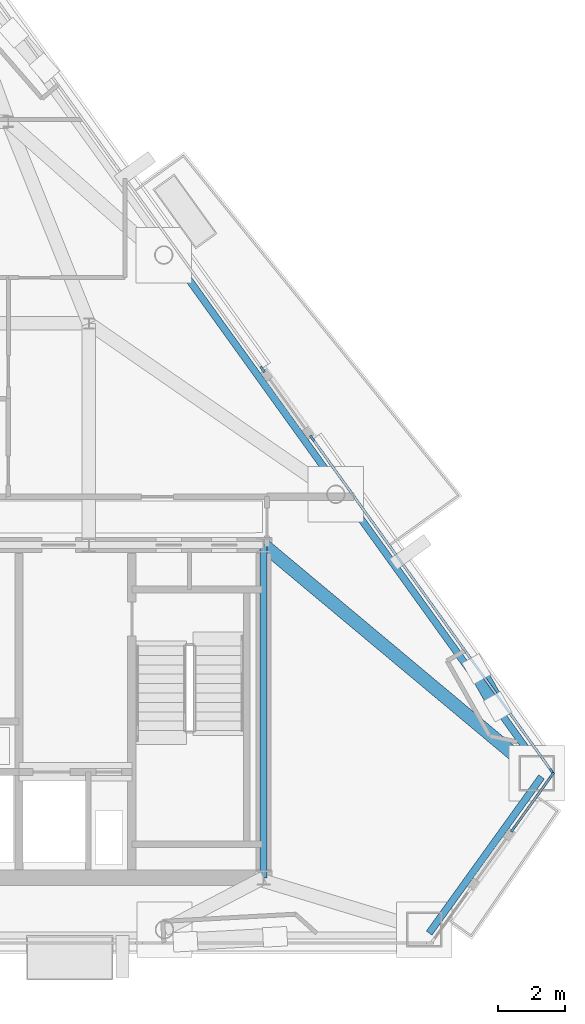
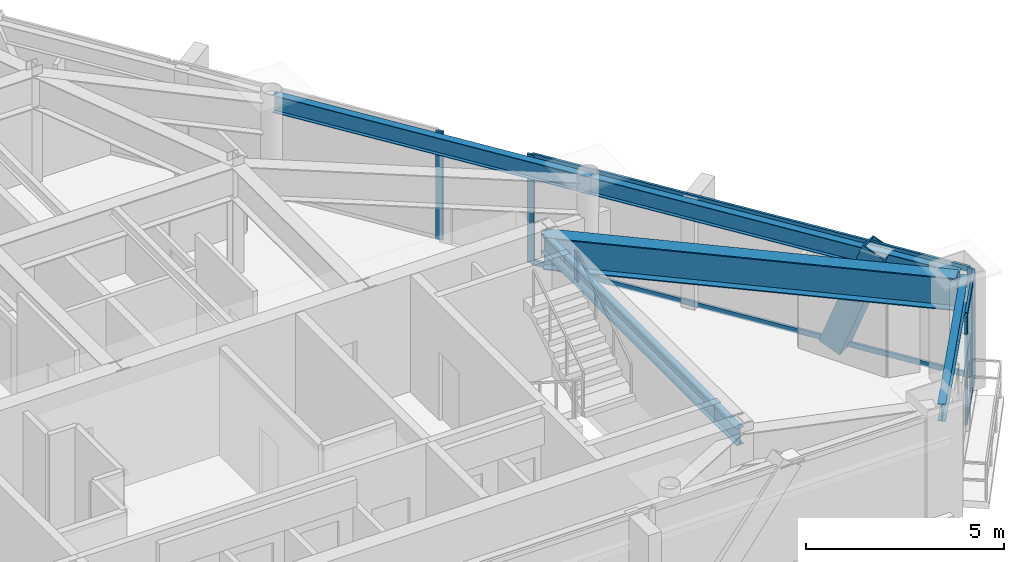
# One storey, part 5 of 11: 10 members, 5 beams, 3 elements without a shape of their own.
"""IFC4 building model written with IfcOpenShell, lengths in metres."""

from ifc_helpers import new_model, si_unit, direction, frame, origin, origin_2d, place, context, subcontext, project, spatial, rectangle, hollow_rectangle, i_section, extrude, material, layer, layer_set, material_profile, profile_set, type_object, element, aggregate, save


model = new_model("IFC4")

# Units and contexts
model_context = context("Model", 3, precision=1e-05, world=origin(), true_north=direction((0.0, 1.0)))
body_context = subcontext(model_context, "Body", "Model", "MODEL_VIEW")
ifc_project = project(units=[si_unit("LENGTHUNIT", "METRE"), si_unit("AREAUNIT", "SQUARE_METRE"), si_unit("VOLUMEUNIT", "CUBIC_METRE"), si_unit("PLANEANGLEUNIT", "RADIAN"), si_unit("MASSUNIT", "GRAM", prefix="KILO")], contexts=[model_context])

# Site, building, storey
site_placement = place(None, origin())
site = spatial("IfcSite", under=ifc_project, at=site_placement, CompositionType="ELEMENT")
building_placement = place(site_placement, origin())
building = spatial("IfcBuilding", under=site, at=building_placement, Name="Talgorran Terracotta Tower", CompositionType="ELEMENT")
storey_placement = place(building_placement, frame((0.0, 0.0, 200.10009765625)))
storey = spatial("IfcBuildingStorey", under=building, at=storey_placement, Name="L52", CompositionType="ELEMENT", Elevation=200.10009765625)

# Beams
ifc_material_1 = material(Name="Steel Grade 350 (350L0)", Category="steel")
ifc_material_profile_1 = material_profile(ifc_material_1, i_section(OverallWidth=0.39990234375, OverallDepth=1.0, WebThickness=0.01611328125, FlangeThickness=0.031005859375, at=origin_2d()), Name="1000WB296")
ifc_profile_set_1 = profile_set([ifc_material_profile_1], Name="Steel Grade 350 (350L0)")
beam_type_1 = type_object("IfcBeamType", Name="BM_1000WB296", PredefinedType="BEAM", material=ifc_profile_set_1)
beam_1_placement = place(storey_placement, frame((12.39990234375, -4.199951171875, 2.844970703125), z_axis=(0.767197947413, -0.641410406436, 0.0), x_axis=(0.641410406436, 0.767197947413, 0.0)))
element("IfcBeam", 1, at=beam_1_placement, inside=storey, type_object=beam_type_1, Name="L52 Floor Girder G18", PredefinedType="BEAM", context=body_context, shape_type="SweptSolid", body=[
    extrude(i_section(OverallWidth=0.39990234375, OverallDepth=1.0, WebThickness=0.01611328125, FlangeThickness=0.031005859375, at=origin_2d()), origin(), (0.0, 0.0, 1.0), 10.589599609375),
])
ifc_material_2 = material(Name="Steel S355 (300PLUS)", Category="steel")
ifc_material_profile_2 = material_profile(ifc_material_2, i_section(OverallWidth=0.209228515625, OverallDepth=0.532958984375, WebThickness=0.01025390625, FlangeThickness=0.015625, at=origin_2d()), Name="530UB92.4")
ifc_profile_set_2 = profile_set([ifc_material_profile_2], Name="Steel S355 (300PLUS)")
beam_type_2 = type_object("IfcBeamType", Name="BM_SP_530UB92", PredefinedType="SPANDREL", material=ifc_profile_set_2)
beam_2_placement = place(storey_placement, frame((17.32568359375, -15.74609375, 3.078369140625), z_axis=(0.583989111458, 0.811761490648, 0.0), x_axis=(-0.811761490648, 0.583989111458, 0.0)))
element("IfcBeam", 2, at=beam_2_placement, inside=storey, type_object=beam_type_2, Name="L52 Perimeter Spandrel Beam MC3-MC4", PredefinedType="SPANDREL", context=body_context, shape_type="SweptSolid", body=[
    extrude(i_section(OverallWidth=0.209228515625, OverallDepth=0.532958984375, WebThickness=0.01025390625, FlangeThickness=0.015625, at=origin_2d()), origin(), (0.0, 0.0, 1.0), 5.72705078125),
])
beam_3_placement = place(storey_placement, frame((20.670166015625, -10.886962890625, 3.078369140625), z_axis=(-0.583984097587, 0.811765097651, 0.0), x_axis=(-0.811765097651, -0.583984097587, 0.0)))
element("IfcBeam", 3, at=beam_3_placement, inside=storey, type_object=beam_type_2, Name="L52 Perimeter Spandrel Beam MC4-FC3", PredefinedType="SPANDREL", context=body_context, shape_type="SweptSolid", body=[
    extrude(i_section(OverallWidth=0.209228515625, OverallDepth=0.532958984375, WebThickness=0.01025390625, FlangeThickness=0.015625, at=origin_2d()), origin(), (0.0, 0.0, 1.0), 10.231689453125),
])
beam_4_placement = place(storey_placement, frame((14.695068359375, -2.581298828125, 3.078369140625), z_axis=(-0.583976142064, 0.811770820799, 0.0), x_axis=(-0.811770820799, -0.583976142064, 0.0)))
element("IfcBeam", 4, at=beam_4_placement, inside=storey, type_object=beam_type_2, Name="L52 Perimeter Spandrel Beam FC3-FC4", PredefinedType="SPANDREL", context=body_context, shape_type="SweptSolid", body=[
    extrude(i_section(OverallWidth=0.209228515625, OverallDepth=0.532958984375, WebThickness=0.01025390625, FlangeThickness=0.015625, at=origin_2d()), origin(), (0.0, 0.0, 1.0), 8.770263671875),
])
beam_5_placement = place(storey_placement, frame((12.39990234375, -14.10009765625, 3.078369140625), z_axis=(0.0, 1.0, 0.0), x_axis=(-1.0, 0.0, 0.0)))
element("IfcBeam", 5, at=beam_5_placement, inside=storey, type_object=beam_type_2, Name="L52 Core Frame Beam CFE", PredefinedType="SPANDREL", context=body_context, shape_type="SweptSolid", body=[
    extrude(i_section(OverallWidth=0.209228515625, OverallDepth=0.532958984375, WebThickness=0.01025390625, FlangeThickness=0.015625, at=origin_2d()), origin(), (0.0, 0.0, 1.0), 9.900146484375),
])

# Member
ifc_material_profile_3 = material_profile(ifc_material_1, hollow_rectangle(XDim=0.52001953125, YDim=0.659912109375, WallThickness=0.034912109375, at=origin_2d()), Name="WBOX660X520X35")
ifc_profile_set_3 = profile_set([ifc_material_profile_3], Name="Steel Grade 350 (350L0)")
member_type_1 = type_object("IfcMemberType", Name="MB_MEGA_660", PredefinedType="BRACE", material=ifc_profile_set_3)
member_1_placement = place(storey_placement, frame((18.73193359375, -7.884521484375, -0.025146484375), z_axis=(0.174766688017, -0.309404255747, 0.934732909063), x_axis=(0.870700202717, 0.49181414883, 0.0)))
element("IfcMember", 6, at=member_1_placement, inside=storey, type_object=member_type_1, Name="L52 Exterior Face Mega-Brace MB-3 (NEL)", PredefinedType="BRACE", context=body_context, shape_type="SweptSolid", body=[
    extrude(hollow_rectangle(XDim=0.52001953125, YDim=0.659912109375, WallThickness=0.034912109375, at=origin_2d()), origin(), (0.0, 0.0, 1.0), 3.632080078125),
])

# Curtain wall, members
ifc_material_3 = material(Name="High-Wind Unitised Glazing", Category="glass")
ifc_layer = layer(ifc_material_3, 0.2099609375, Name="CW_SYS3_RES_HIGH")
ifc_layer_set = layer_set([ifc_layer], Name="High-Wind Unitised Glazing")
curtain_wall_type = type_object("IfcCurtainWallType", Name="CW_SYS3_RES_HIGH", PredefinedType="NOTDEFINED", material=ifc_layer_set)
curtain_wall_1_placement = place(storey_placement, origin())
curtain_wall_1 = element("IfcCurtainWall", 7, at=curtain_wall_1_placement, inside=storey, type_object=curtain_wall_type, Name="CW-L52-F31", PredefinedType="NOTDEFINED")
ifc_material_4 = material(Name="Architectural Aluminium 6063-T6", Category="aluminium")
ifc_material_profile_4 = material_profile(ifc_material_4, rectangle(XDim=0.070068359375, YDim=0.199951171875, at=origin_2d()), Name="CWM70X200")
ifc_profile_set_4 = profile_set([ifc_material_profile_4], Name="Architectural Aluminium 6063-T6")
member_type_2 = type_object("IfcMemberType", Name="MUL_70X200", PredefinedType="MULLION", material=ifc_profile_set_4)
member_2_placement = place(storey_placement, frame((19.82421875, -12.64990234375, 0.0), z_axis=(0.0, 0.0, 1.0), x_axis=(-0.811781936944, 0.583960689475, 0.0)))
member_2 = element("IfcMember", 8, at=member_2_placement, type_object=member_type_2, Name="CW-L52-31 mullion 1", PredefinedType="MULLION", context=body_context, shape_type="SweptSolid", body=[
    extrude(rectangle(XDim=0.070068359375, YDim=0.199951171875, at=origin_2d()), origin(), (0.0, 0.0, 1.0), 3.344970703125),
])
member_3_placement = place(storey_placement, frame((20.97314453125, -11.052978515625, 0.0), z_axis=(0.0, 0.0, 1.0), x_axis=(-0.811781936944, 0.583960689475, 0.0)))
member_3 = element("IfcMember", 9, at=member_3_placement, type_object=member_type_2, Name="CW-L52-31 mullion 2", PredefinedType="MULLION", context=body_context, shape_type="SweptSolid", body=[
    extrude(rectangle(XDim=0.070068359375, YDim=0.199951171875, at=origin_2d()), origin(), (0.0, 0.0, 1.0), 3.344970703125),
])

curtain_wall_2_placement = place(storey_placement, origin())
curtain_wall_2 = element("IfcCurtainWall", 10, at=curtain_wall_2_placement, inside=storey, type_object=curtain_wall_type, Name="CW-L52-F40", PredefinedType="NOTDEFINED")
member_4_placement = place(storey_placement, frame((20.97314453125, -10.93115234375, 0.0), z_axis=(0.0, 0.0, 1.0), x_axis=(-0.811763738821, -0.583985986421, 0.0)))
member_4 = element("IfcMember", 11, at=member_4_placement, type_object=member_type_2, Name="CW-L52-40 mullion 1", PredefinedType="MULLION", context=body_context, shape_type="SweptSolid", body=[
    extrude(rectangle(XDim=0.070068359375, YDim=0.199951171875, at=origin_2d()), origin(), (0.0, 0.0, 1.0), 3.344970703125),
])
member_5_placement = place(storey_placement, frame((13.845458984375, -1.0234375, 0.0), z_axis=(0.0, 0.0, 1.0), x_axis=(-0.811763738821, -0.583985986421, 0.0)))
member_5 = element("IfcMember", 12, at=member_5_placement, type_object=member_type_2, Name="CW-L52-40 mullion 2", PredefinedType="MULLION", context=body_context, shape_type="SweptSolid", body=[
    extrude(rectangle(XDim=0.070068359375, YDim=0.199951171875, at=origin_2d()), origin(), (0.0, 0.0, 1.0), 3.344970703125),
])

# Curtain wall, member
curtain_wall_3_placement = place(storey_placement, origin())
curtain_wall_3 = element("IfcCurtainWall", 13, at=curtain_wall_3_placement, inside=storey, type_object=curtain_wall_type, Name="CW-L52-F41", PredefinedType="NOTDEFINED")
member_6_placement = place(storey_placement, frame((12.367919921875, 1.0302734375, 0.0), z_axis=(0.0, 0.0, 1.0), x_axis=(-0.8117654038, -0.583983672027, 0.0)))
member_6 = element("IfcMember", 14, at=member_6_placement, type_object=member_type_2, Name="CW-L52-41 mullion 1", PredefinedType="MULLION", context=body_context, shape_type="SweptSolid", body=[
    extrude(rectangle(XDim=0.070068359375, YDim=0.199951171875, at=origin_2d()), origin(), (0.0, 0.0, 1.0), 3.344970703125),
])
aggregate(curtain_wall_3, [member_6])

# Member
ifc_material_profile_5 = material_profile(ifc_material_4, rectangle(XDim=0.070068359375, YDim=0.159912109375, at=origin_2d()), Name="CWT70X160")
ifc_profile_set_5 = profile_set([ifc_material_profile_5], Name="Architectural Aluminium 6063-T6")
member_type_3 = type_object("IfcMemberType", Name="TRN_70X160", PredefinedType="USERDEFINED", material=ifc_profile_set_5)
member_7_placement = place(storey_placement, frame((19.8447265625, -12.62158203125, 0.034912109375), z_axis=(0.583986011955, 0.811763720452, 0.0), x_axis=(-0.811763720452, 0.583986011955, 0.0)))
member_7 = element("IfcMember", 15, at=member_7_placement, type_object=member_type_3, Name="CW-L52-31 transom 1.1", ObjectType="TRANSOM", PredefinedType="USERDEFINED", context=body_context, shape_type="SweptSolid", body=[
    extrude(rectangle(XDim=0.070068359375, YDim=0.159912109375, at=origin_2d()), origin(), (0.0, 0.0, 1.0), 1.897216796875),
])

member_8_placement = place(storey_placement, frame((19.8447265625, -12.62158203125, 3.309814453125), z_axis=(0.583986011955, 0.811763720452, 0.0), x_axis=(-0.811763720452, 0.583986011955, 0.0)))
member_8 = element("IfcMember", 16, at=member_8_placement, type_object=member_type_3, Name="CW-L52-31 transom 1.2", ObjectType="TRANSOM", PredefinedType="USERDEFINED", context=body_context, shape_type="SweptSolid", body=[
    extrude(rectangle(XDim=0.070068359375, YDim=0.159912109375, at=origin_2d()), origin(), (0.0, 0.0, 1.0), 1.897216796875),
])

aggregate(curtain_wall_1, [member_2, member_3, member_7, member_8])

member_9_placement = place(storey_placement, frame((20.95263671875, -10.90283203125, 0.034912109375), z_axis=(-0.583982972928, 0.811765906731, 0.0), x_axis=(-0.811765906731, -0.583982972928, 0.0)))
member_9 = element("IfcMember", 17, at=member_9_placement, type_object=member_type_3, Name="CW-L52-40 transom 1.1", ObjectType="TRANSOM", PredefinedType="USERDEFINED", context=body_context, shape_type="SweptSolid", body=[
    extrude(rectangle(XDim=0.070068359375, YDim=0.159912109375, at=origin_2d()), origin(), (0.0, 0.0, 1.0), 12.135009765625),
])

member_10_placement = place(storey_placement, frame((20.95263671875, -10.90283203125, 3.309814453125), z_axis=(-0.583982972928, 0.811765906731, 0.0), x_axis=(-0.811765906731, -0.583982972928, 0.0)))
member_10 = element("IfcMember", 18, at=member_10_placement, type_object=member_type_3, Name="CW-L52-40 transom 1.2", ObjectType="TRANSOM", PredefinedType="USERDEFINED", context=body_context, shape_type="SweptSolid", body=[
    extrude(rectangle(XDim=0.070068359375, YDim=0.159912109375, at=origin_2d()), origin(), (0.0, 0.0, 1.0), 12.135009765625),
])

aggregate(curtain_wall_2, [member_4, member_5, member_9, member_10])

save(model, "model.ifc")
